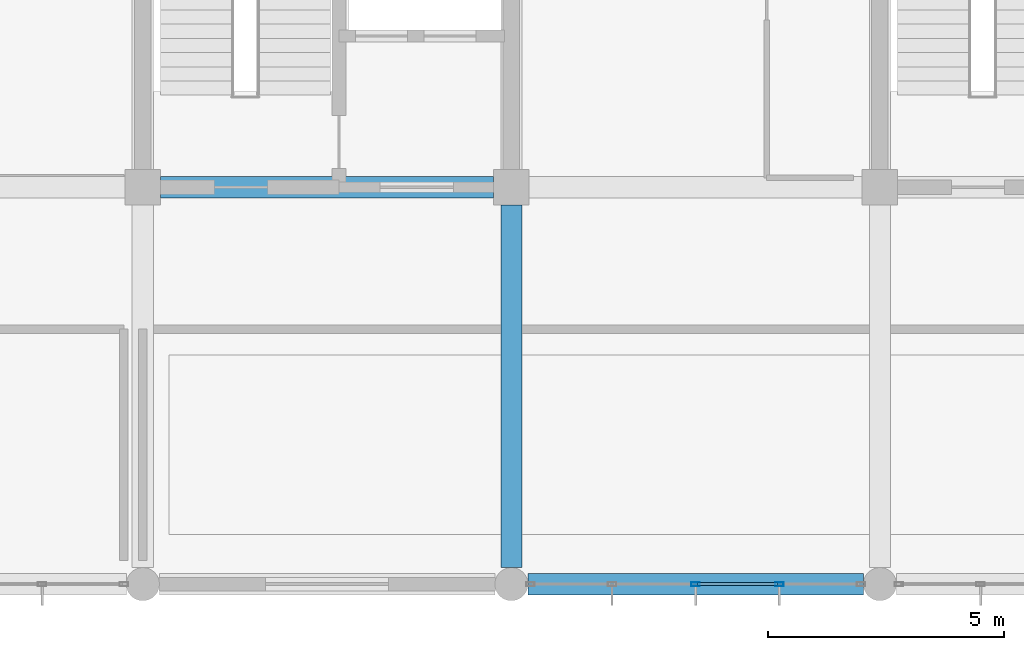
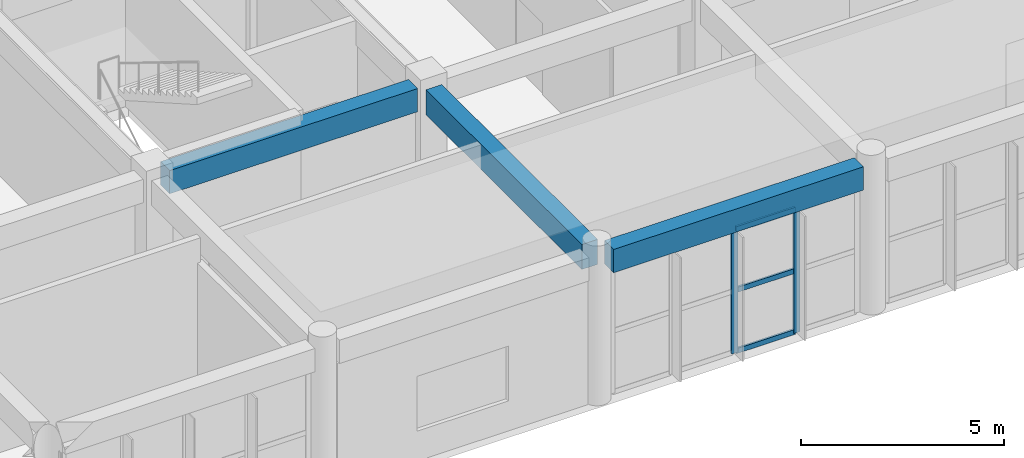
# One storey, part 14 of 167: 5 members, 3 beams, 1 element without a shape of its own.
"""IFC4 building model written with IfcOpenShell, lengths in metres."""

from ifc_helpers import new_model, si_unit, direction, frame, origin, origin_2d, place, context, subcontext, project, spatial, rectangle, hollow_rectangle, extrude, material, layer, layer_set, material_profile, profile_set, type_object, element, aggregate, save


model = new_model("IFC4")

# Units and contexts
model_context = context("Model", 3, precision=1e-05, world=origin(), true_north=direction((0.0, 1.0)))
body_context = subcontext(model_context, "Body", "Model", "MODEL_VIEW")
ifc_project = project(units=[si_unit("LENGTHUNIT", "METRE"), si_unit("AREAUNIT", "SQUARE_METRE"), si_unit("VOLUMEUNIT", "CUBIC_METRE"), si_unit("PLANEANGLEUNIT", "RADIAN"), si_unit("MASSUNIT", "GRAM", prefix="KILO")], contexts=[model_context])

# Site, building, storey
site_placement = place(None, origin())
site = spatial("IfcSite", under=ifc_project, at=site_placement, CompositionType="ELEMENT")
building_placement = place(site_placement, origin())
building = spatial("IfcBuilding", under=site, at=building_placement, Name="Zizhar Promenade General Hospital", CompositionType="ELEMENT")
storey_placement = place(building_placement, frame((0.0, 0.0, 9.60009765625)))
storey = spatial("IfcBuildingStorey", under=building, at=storey_placement, Name="L02", CompositionType="ELEMENT", Elevation=9.60009765625)

# Beams
ifc_material_1 = material(Name="Concrete C35/45", Category="concrete")
ifc_material_profile_1 = material_profile(ifc_material_1, rectangle(XDim=0.449951171875, YDim=0.699951171875, at=origin_2d()))
ifc_profile_set_1 = profile_set([ifc_material_profile_1], Name="Concrete C35/45")
beam_type_1 = type_object("IfcBeamType", Name="BM-RC-450x700", PredefinedType="BEAM", material=ifc_profile_set_1)
beam_1_placement = place(storey_placement, frame((47.175048828125, 8.39990234375, 4.119873046875), z_axis=(1.0, 0.0, 0.0), x_axis=(0.0, 1.0, 0.0)))
element("IfcBeam", 1, at=beam_1_placement, inside=storey, type_object=beam_type_1, Name="Grid Beam X L02 (6-1)", PredefinedType="BEAM", context=body_context, shape_type="SweptSolid", body=[
    extrude(rectangle(XDim=0.449951171875, YDim=0.699951171875, at=origin_2d()), origin(), (0.0, 0.0, 1.0), 7.050048828125),
])
beam_2_placement = place(storey_placement, frame((54.949951171875, 0.0, 4.119873046875), z_axis=(1.0, 0.0, 0.0), x_axis=(0.0, 1.0, 0.0)))
element("IfcBeam", 2, at=beam_2_placement, inside=storey, type_object=beam_type_1, Name="Grid Beam X L02 (7-0)", PredefinedType="BEAM", context=body_context, shape_type="SweptSolid", body=[
    extrude(rectangle(XDim=0.449951171875, YDim=0.699951171875, at=origin_2d()), origin(), (0.0, 0.0, 1.0), 7.10009765625),
])
ifc_material_2 = material(Name="Concrete C35/45", Category="concrete")
ifc_material_profile_2 = material_profile(ifc_material_2, rectangle(XDim=0.449951171875, YDim=0.75, at=origin_2d()))
ifc_profile_set_2 = profile_set([ifc_material_profile_2], Name="Concrete C35/45")
beam_type_2 = type_object("IfcBeamType", Name="BM-RC-450x750", PredefinedType="BEAM", material=ifc_profile_set_2)
beam_3_placement = place(storey_placement, frame((54.60009765625, 0.35009765625, 4.094970703125), z_axis=(0.0, 1.0, 0.0), x_axis=(-1.0, 0.0, 0.0)))
element("IfcBeam", 3, at=beam_3_placement, inside=storey, type_object=beam_type_2, Name="Grid Beam Y L02 (7-0)", PredefinedType="BEAM", context=body_context, shape_type="SweptSolid", body=[
    extrude(rectangle(XDim=0.449951171875, YDim=0.75, at=origin_2d()), origin(), (0.0, 0.0, 1.0), 7.6748046875),
])

# Curtain wall, members
ifc_material_3 = material(Name="Anodised aluminium 6063-T6 and low-E glass", Category="aluminium")
ifc_layer = layer(ifc_material_3, 0.159912109375)
ifc_layer_set = layer_set([ifc_layer], Name="Anodised aluminium 6063-T6 and low-E glass")
curtain_wall_type = type_object("IfcCurtainWallType", Name="CW-DT-MOD1", PredefinedType="NOTDEFINED", material=ifc_layer_set)
curtain_wall_placement = place(storey_placement, origin())
curtain_wall = element("IfcCurtainWall", 4, at=curtain_wall_placement, inside=storey, type_object=curtain_wall_type, Name="Riverfront Clinical Curtain Wall L02-6", PredefinedType="NOTDEFINED")
ifc_material_4 = material(Name="Anodised aluminium 6063-T6", Category="aluminium")
ifc_material_profile_3 = material_profile(ifc_material_4, hollow_rectangle(XDim=0.080078125, YDim=0.179931640625, WallThickness=0.0048828125, at=origin_2d()))
ifc_profile_set_3 = profile_set([ifc_material_profile_3], Name="Anodised aluminium 6063-T6")
member_type_1 = type_object("IfcMemberType", Name="CWM-ALU-180x80", PredefinedType="MULLION", material=ifc_profile_set_3)
member_1_placement = place(storey_placement, frame((60.27001953125, 0.0, 0.0), z_axis=(0.0, 0.0, 1.0), x_axis=(0.0, -1.0, 0.0)))
member_1 = element("IfcMember", 5, at=member_1_placement, type_object=member_type_1, Name="CW-07 mullion 2", PredefinedType="MULLION", context=body_context, shape_type="SweptSolid", body=[
    extrude(hollow_rectangle(XDim=0.080078125, YDim=0.179931640625, WallThickness=0.0048828125, at=origin_2d()), origin(), (0.0, 0.0, 1.0), 3.72998046875),
])
member_2_placement = place(storey_placement, frame((58.5, 0.0, 0.0), z_axis=(0.0, 0.0, 1.0), x_axis=(0.0, -1.0, 0.0)))
member_2 = element("IfcMember", 6, at=member_2_placement, type_object=member_type_1, Name="CW-07 mullion 3", PredefinedType="MULLION", context=body_context, shape_type="SweptSolid", body=[
    extrude(hollow_rectangle(XDim=0.080078125, YDim=0.179931640625, WallThickness=0.0048828125, at=origin_2d()), origin(), (0.0, 0.0, 1.0), 3.72998046875),
])
ifc_material_5 = material(Name="Anodised aluminium 6063-T6", Category="aluminium")
ifc_material_profile_4 = material_profile(ifc_material_5, hollow_rectangle(XDim=0.06005859375, YDim=0.14990234375, WallThickness=0.00390625, at=origin_2d()))
ifc_profile_set_4 = profile_set([ifc_material_profile_4], Name="Anodised aluminium 6063-T6")
member_type_2 = type_object("IfcMemberType", Name="CWT-ALU-150x60", PredefinedType="USERDEFINED", material=ifc_profile_set_4)
member_3_placement = place(storey_placement, frame((60.22998046875, 0.0, 0.02978515625), z_axis=(-1.0, 0.0, 0.0), x_axis=(0.0, -1.0, 0.0)))
member_3 = element("IfcMember", 7, at=member_3_placement, type_object=member_type_2, Name="CW-07 transom 2.1", ObjectType="TRANSOM", PredefinedType="USERDEFINED", context=body_context, shape_type="SweptSolid", body=[
    extrude(hollow_rectangle(XDim=0.06005859375, YDim=0.14990234375, WallThickness=0.00390625, at=origin_2d()), origin(), (0.0, 0.0, 1.0), 1.68994140625),
])
member_4_placement = place(storey_placement, frame((60.22998046875, 0.0, 1.864990234375), z_axis=(-1.0, 0.0, 0.0), x_axis=(0.0, -1.0, 0.0)))
member_4 = element("IfcMember", 8, at=member_4_placement, type_object=member_type_2, Name="CW-07 transom 2.2", ObjectType="TRANSOM", PredefinedType="USERDEFINED", context=body_context, shape_type="SweptSolid", body=[
    extrude(hollow_rectangle(XDim=0.06005859375, YDim=0.14990234375, WallThickness=0.00390625, at=origin_2d()), origin(), (0.0, 0.0, 1.0), 1.68994140625),
])
member_5_placement = place(storey_placement, frame((60.22998046875, 0.0, 3.699951171875), z_axis=(-1.0, 0.0, 0.0), x_axis=(0.0, -1.0, 0.0)))
member_5 = element("IfcMember", 9, at=member_5_placement, type_object=member_type_2, Name="CW-07 transom 2.3", ObjectType="TRANSOM", PredefinedType="USERDEFINED", context=body_context, shape_type="SweptSolid", body=[
    extrude(hollow_rectangle(XDim=0.06005859375, YDim=0.14990234375, WallThickness=0.00390625, at=origin_2d()), origin(), (0.0, 0.0, 1.0), 1.68994140625),
])
aggregate(curtain_wall, [member_1, member_2, member_3, member_4, member_5])

save(model, "model.ifc")
